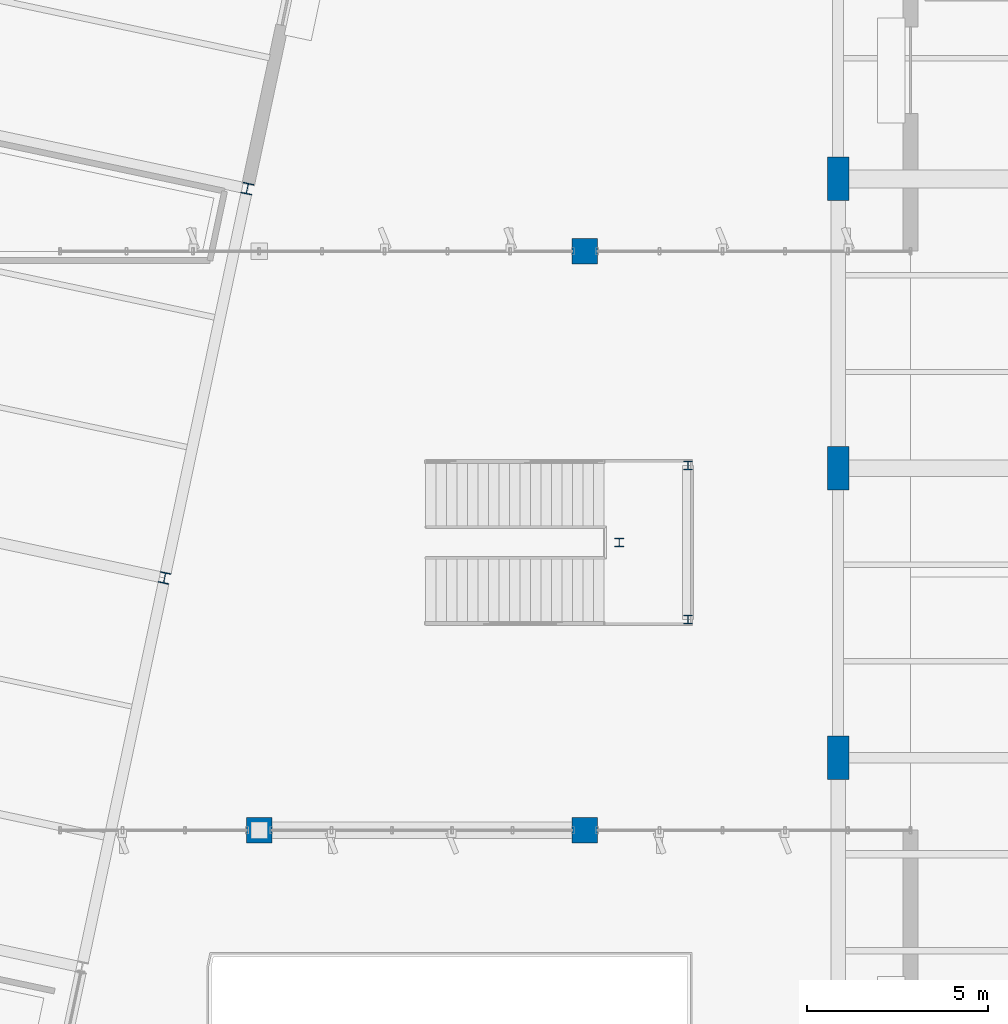
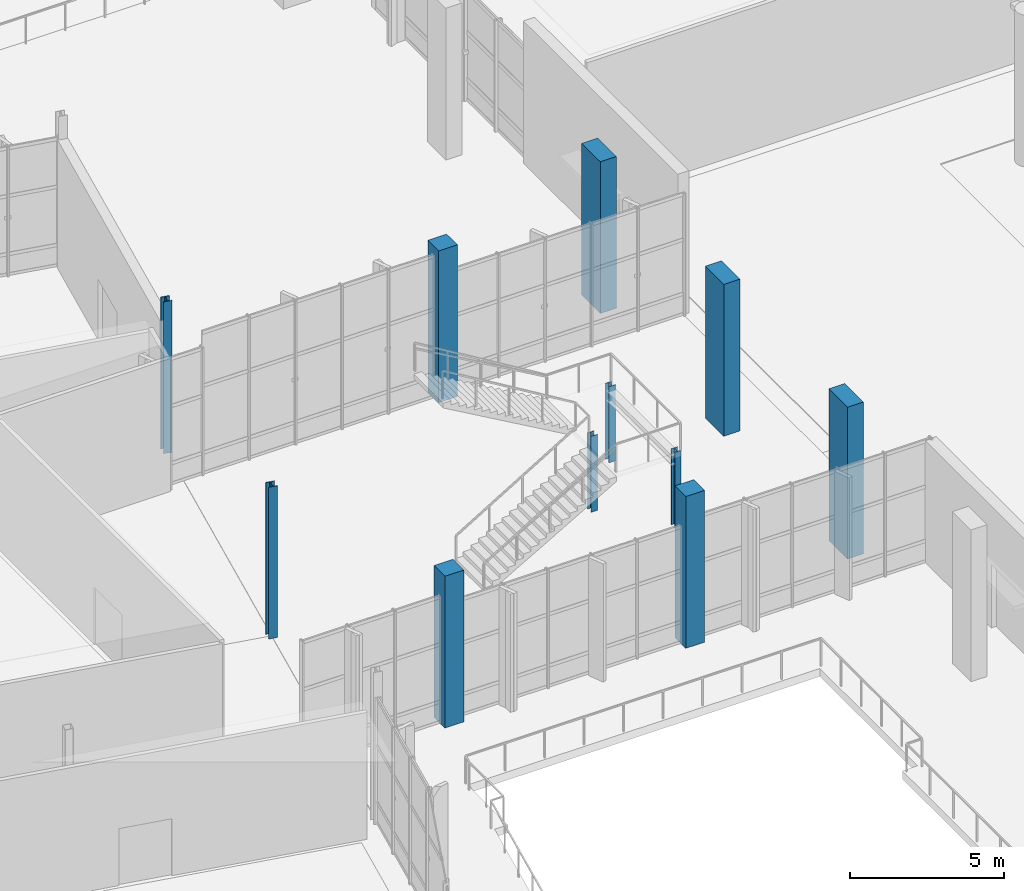
# One storey, part 8 of 163: 11 columns.
"""IFC4 building model written with IfcOpenShell, lengths in metres."""

from ifc_helpers import new_model, si_unit, direction, frame, origin, origin_2d, place, context, subcontext, project, spatial, rectangle, i_section, extrude, material, material_profile, profile_set, type_object, element, save


model = new_model("IFC4")

# Units and contexts
model_context = context("Model", 3, precision=1e-05, world=origin(), true_north=direction((0.0, 1.0)))
body_context = subcontext(model_context, "Body", "Model", "MODEL_VIEW")
ifc_project = project(units=[si_unit("LENGTHUNIT", "METRE"), si_unit("AREAUNIT", "SQUARE_METRE"), si_unit("VOLUMEUNIT", "CUBIC_METRE"), si_unit("PLANEANGLEUNIT", "RADIAN"), si_unit("MASSUNIT", "GRAM", prefix="KILO")], contexts=[model_context])

# Site, building, storey
site_placement = place(None, origin())
site = spatial("IfcSite", under=ifc_project, at=site_placement, CompositionType="ELEMENT")
building_placement = place(site_placement, origin())
building = spatial("IfcBuilding", under=site, at=building_placement, Name="Khorjan Park Terminus", CompositionType="ELEMENT")
storey_placement = place(building_placement, origin())
storey = spatial("IfcBuildingStorey", under=building, at=storey_placement, Name="L00", CompositionType="ELEMENT", Elevation=0.0)

# Columns
ifc_material_1 = material(Name="Concrete C50/60", Category="concrete")
ifc_material_profile_1 = material_profile(ifc_material_1, rectangle(XDim=0.6, YDim=1.2, at=origin_2d()), Name="RC 600x1200")
ifc_profile_set_1 = profile_set([ifc_material_profile_1], Name="Concrete C50/60")
column_type_1 = type_object("IfcColumnType", Name="COL-BL1200", PredefinedType="COLUMN", material=ifc_profile_set_1)
for number, where, z_axis, x_axis, name in (
    (1, (48.0, 52.0, 0.0), (0.0, 0.0, 1.0), (1.0, 0.0, 0.0), "Structural column C-BL12 (L00 #246)"),
    (2, (48.0, 60.0, 0.0), (0.0, 0.0, 1.0), (1.0, 0.0, 0.0), "Structural column C-BL12 (L00 #251)"),
    (3, (48.0, 68.0, 0.0), (0.0, 0.0, 1.0), (1.0, 0.0, 0.0), "Structural column C-BL12 (L00 #256)"),
):
    element("IfcColumn", number, at=place(storey_placement, frame(where, z_axis=z_axis, x_axis=x_axis)), inside=storey, type_object=column_type_1, Name=name, PredefinedType="COLUMN", context=body_context, shape_type="SweptSolid", body=[
        extrude(rectangle(XDim=0.6, YDim=1.2, at=origin_2d()), origin(), (0.0, 0.0, 1.0), 6.0),
    ])
ifc_material_2 = material(Name="Steel S355", Category="steel")
ifc_material_profile_2 = material_profile(ifc_material_2, i_section(OverallWidth=0.24, OverallDepth=0.24, WebThickness=0.01, FlangeThickness=0.017, FilletRadius=0.021, at=origin_2d()), Name="HEB 240")
ifc_profile_set_2 = profile_set([ifc_material_profile_2], Name="Steel S355")
column_type_2 = type_object("IfcColumnType", Name="COL-HB240", PredefinedType="COLUMN", material=ifc_profile_set_2)
for number, where, z_axis, x_axis, name in (
    (4, (43.85, 55.82, 0.0), (0.0, 0.0, 1.0), (1.0, 0.0, 0.0), "Structural column SC-H24 (L00 #1048)"),
    (5, (43.85, 60.08, 0.0), (0.0, 0.0, 1.0), (1.0, 0.0, 0.0), "Structural column SC-H24 (L00 #1050)"),
    (6, (41.95, 57.95, 0.0), (0.0, 0.0, 1.0), (1.0, 0.0, 0.0), "Structural column SC-H24 (L00 #1052)"),
):
    element("IfcColumn", number, at=place(storey_placement, frame(where, z_axis=z_axis, x_axis=x_axis)), inside=storey, type_object=column_type_2, Name=name, PredefinedType="COLUMN", context=body_context, shape_type="SweptSolid", body=[
        extrude(i_section(OverallWidth=0.24, OverallDepth=0.24, WebThickness=0.01, FlangeThickness=0.017, FilletRadius=0.021, at=origin_2d()), origin(), (0.0, 0.0, 1.0), 3.0),
    ])
ifc_material_profile_3 = material_profile(ifc_material_2, i_section(OverallWidth=0.3, OverallDepth=0.3, WebThickness=0.011, FlangeThickness=0.019, FilletRadius=0.027, at=origin_2d()), Name="HEB 300")
ifc_profile_set_3 = profile_set([ifc_material_profile_3], Name="Steel S355")
column_type_3 = type_object("IfcColumnType", Name="COL-HB300E", PredefinedType="COLUMN", material=ifc_profile_set_3)
for number, where, z_axis, x_axis, name in (
    (7, (29.386, 56.97, 0.0), (0.0, 0.0, 1.0), (0.978147600734, -0.207911690818, 0.0), "Structural column SC-H30 (L00 #645)"),
    (8, (31.673, 67.73, 0.0), (0.0, 0.0, 1.0), (0.978147600734, -0.207911690818, 0.0), "Structural column SC-H30 (L00 #648)"),
):
    element("IfcColumn", number, at=place(storey_placement, frame(where, z_axis=z_axis, x_axis=x_axis)), inside=storey, type_object=column_type_3, Name=name, PredefinedType="COLUMN", context=body_context, shape_type="SweptSolid", body=[
        extrude(i_section(OverallWidth=0.3, OverallDepth=0.3, WebThickness=0.011, FlangeThickness=0.019, FilletRadius=0.027, at=origin_2d()), origin(), (0.0, 0.0, 1.0), 6.0),
    ])
ifc_material_3 = material(Name="Concrete C40/50", Category="concrete")
ifc_material_profile_4 = material_profile(ifc_material_3, rectangle(XDim=0.7, YDim=0.7, at=origin_2d()), Name="RC 700x700")
ifc_profile_set_4 = profile_set([ifc_material_profile_4], Name="Concrete C40/50")
column_type_4 = type_object("IfcColumnType", Name="COL-RC700", PredefinedType="COLUMN", material=ifc_profile_set_4)
for number, where, z_axis, x_axis, name in (
    (9, (32.0, 50.0, 0.0), (0.0, 0.0, 1.0), (1.0, 0.0, 0.0), "Structural column C-RC07 (L00 #653)"),
    (10, (41.0, 50.0, 0.0), (0.0, 0.0, 1.0), (1.0, 0.0, 0.0), "Structural column C-RC07 (L00 #656)"),
    (11, (41.0, 66.0, 0.0), (0.0, 0.0, 1.0), (1.0, 0.0, 0.0), "Structural column C-RC07 (L00 #659)"),
):
    element("IfcColumn", number, at=place(storey_placement, frame(where, z_axis=z_axis, x_axis=x_axis)), inside=storey, type_object=column_type_4, Name=name, PredefinedType="COLUMN", context=body_context, shape_type="SweptSolid", body=[
        extrude(rectangle(XDim=0.7, YDim=0.7, at=origin_2d()), origin(), (0.0, 0.0, 1.0), 6.0),
    ])

save(model, "model.ifc")
